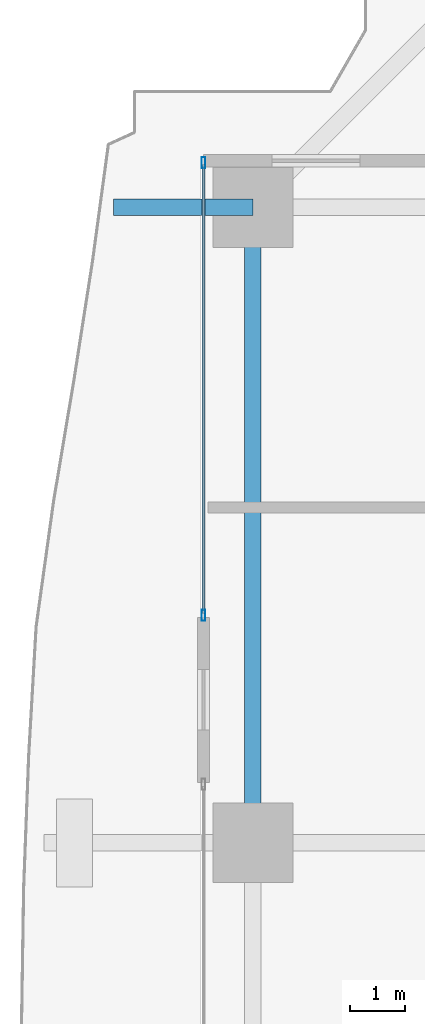
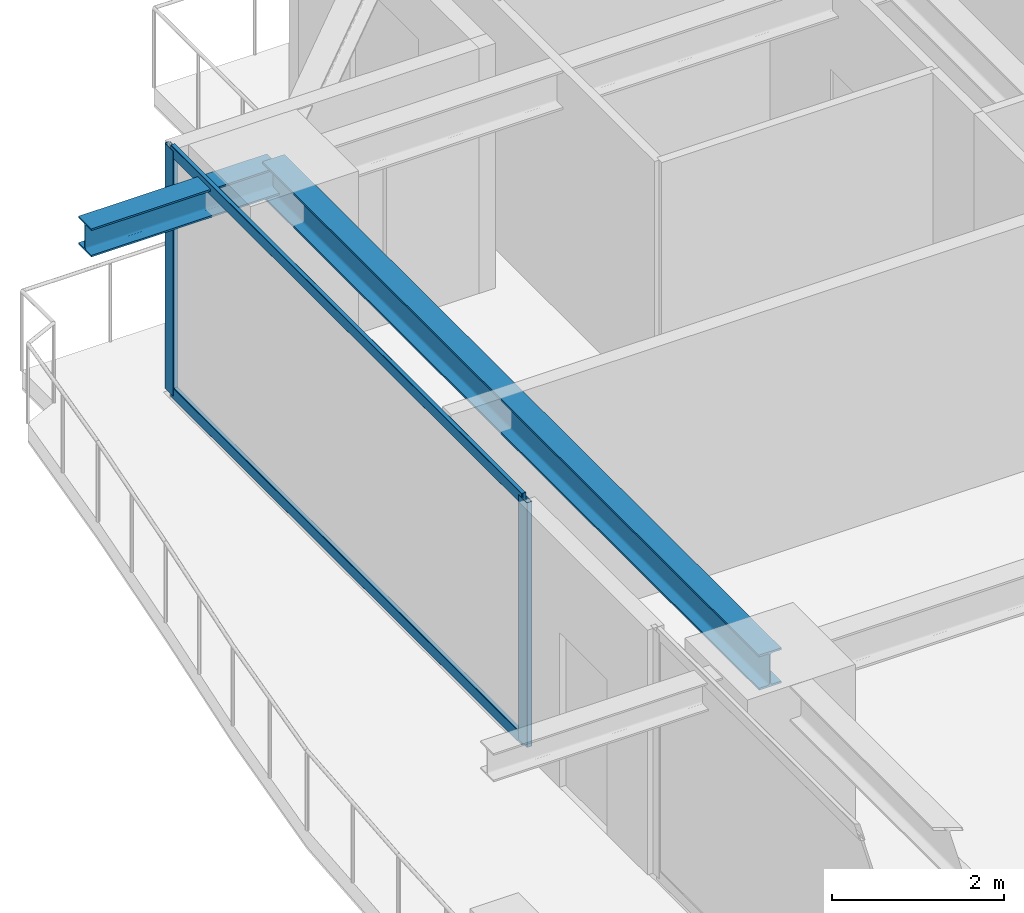
# One storey, part 15 of 35: 4 members, 2 beams, 1 element without a shape of its own.
"""IFC4 building model written with IfcOpenShell, lengths in metres."""

from ifc_helpers import new_model, si_unit, direction, frame, origin, origin_2d, place, context, subcontext, project, spatial, hollow_rectangle, i_section, extrude, source, transform, mapped, material, layer, layer_set, material_profile, profile_set, type_object, element, aggregate, save


model = new_model("IFC4")

# Units and contexts
model_context = context("Model", 3, precision=1e-05, world=origin(), true_north=direction((0.0, 1.0)))
body_context = subcontext(model_context, "Body", "Model", "MODEL_VIEW")
ifc_project = project(units=[si_unit("LENGTHUNIT", "METRE"), si_unit("AREAUNIT", "SQUARE_METRE"), si_unit("VOLUMEUNIT", "CUBIC_METRE"), si_unit("PLANEANGLEUNIT", "RADIAN"), si_unit("MASSUNIT", "GRAM", prefix="KILO")], contexts=[model_context])

# Site, building, storey
site_placement = place(None, origin())
site = spatial("IfcSite", under=ifc_project, at=site_placement, CompositionType="ELEMENT")
building_placement = place(site_placement, origin())
building = spatial("IfcBuilding", under=site, at=building_placement, Name="Serunith Strait Residences", CompositionType="ELEMENT")
storey_placement = place(building_placement, frame((0.0, 0.0, 71.699951171875)))
storey = spatial("IfcBuildingStorey", under=building, at=storey_placement, Name="L17", CompositionType="ELEMENT", Elevation=71.699951171875)

# Beams
ifc_material_1 = material(Name="Steel S355J2", Category="steel")
ifc_material_profile_1 = material_profile(ifc_material_1, i_section(OverallWidth=0.300048828125, OverallDepth=0.5, WebThickness=0.014404296875, FlangeThickness=0.028076171875, FilletRadius=0.027099609375, at=origin_2d()), Name="HEB 500")
ifc_profile_set_1 = profile_set([ifc_material_profile_1], Name="Steel S355J2")
beam_type_1 = type_object("IfcBeamType", Name="BM-HEB500", PredefinedType="BEAM", material=ifc_profile_set_1)
shared_shape_1 = source(origin(), body_context, "Body", "SweptSolid", [
    extrude(i_section(OverallWidth=0.300048828125, OverallDepth=0.5, WebThickness=0.014404296875, FlangeThickness=0.028076171875, FilletRadius=0.027099609375, at=origin_2d()), origin(), (0.0, 0.0, 1.0), 11.550048828125),
])
beam_1_placement = place(storey_placement, frame((6.89990234375, 40.949951171875, 3.237060546875), z_axis=(0.0, -1.0, 0.0), x_axis=(1.0, 0.0, 0.0)))
element("IfcBeam", 1, at=beam_1_placement, inside=storey, type_object=beam_type_1, Name="L17 Perimeter Ring Beam 13", PredefinedType="BEAM", context=body_context, shape_type="MappedRepresentation", body=[
    mapped(shared_shape_1, transform((0.0, 0.0, 0.0), scale=1.0)),
])
ifc_material_profile_2 = material_profile(ifc_material_1, i_section(OverallWidth=0.300048828125, OverallDepth=0.39990234375, WebThickness=0.013427734375, FlangeThickness=0.02392578125, FilletRadius=0.027099609375, at=origin_2d()), Name="HEB 400")
ifc_profile_set_2 = profile_set([ifc_material_profile_2], Name="Steel S355J2")
beam_type_2 = type_object("IfcBeamType", Name="BM-HEB400", PredefinedType="BEAM", material=ifc_profile_set_2)
shared_shape_2 = source(origin(), body_context, "Body", "SweptSolid", [
    extrude(i_section(OverallWidth=0.300048828125, OverallDepth=0.39990234375, WebThickness=0.013427734375, FlangeThickness=0.02392578125, FilletRadius=0.027099609375, at=origin_2d()), origin(), (0.0, 0.0, 1.0), 2.531005859375),
])
beam_2_placement = place(storey_placement, frame((6.89990234375, 40.949951171875, 3.257080078125), z_axis=(-1.0, 0.0, 0.0), x_axis=(0.0, -1.0, 0.0)))
element("IfcBeam", 2, at=beam_2_placement, inside=storey, type_object=beam_type_2, Name="L18 Cantilevered Balcony Rib TC-W4", PredefinedType="BEAM", context=body_context, shape_type="MappedRepresentation", body=[
    mapped(shared_shape_2, transform((0.0, 0.0, 0.0), scale=1.0)),
])

# Curtain wall, members
ifc_material_2 = material(Name="Pale-Champagne Anodised Aluminium", Category="aluminium")
ifc_layer = layer(ifc_material_2, 0.199951171875, Name="Pale-Champagne Anodised Aluminium")
ifc_layer_set = layer_set([ifc_layer], Name="Pale-Champagne Anodised Aluminium")
curtain_wall_type = type_object("IfcCurtainWallType", Name="CW-SYS1", PredefinedType="NOTDEFINED", material=ifc_layer_set)
curtain_wall_placement = place(storey_placement, origin())
curtain_wall = element("IfcCurtainWall", 3, at=curtain_wall_placement, inside=storey, type_object=curtain_wall_type, Name="L17 W Unitised Fritted Curtain Wall", PredefinedType="NOTDEFINED")
ifc_material_profile_3 = material_profile(ifc_material_2, hollow_rectangle(XDim=0.070068359375, YDim=0.199951171875, WallThickness=0.00390625, InnerFilletRadius=0.006103515625, OuterFilletRadius=0.010009765625, at=origin_2d()), Name="ALU 200x70x4")
ifc_profile_set_3 = profile_set([ifc_material_profile_3], Name="Pale-Champagne Anodised Aluminium")
member_type_1 = type_object("IfcMemberType", Name="CW-SYS1-MULL", PredefinedType="MULLION", material=ifc_profile_set_3)
shared_shape_3 = source(origin(), body_context, "Body", "SweptSolid", [
    extrude(hollow_rectangle(XDim=0.070068359375, YDim=0.199951171875, WallThickness=0.00390625, InnerFilletRadius=0.006103515625, OuterFilletRadius=0.010009765625, at=origin_2d()), origin(), (0.0, 0.0, 1.0), 3.47509765625),
])
member_1_placement = place(storey_placement, frame((6.0, 41.764892578125, 0.0), z_axis=(0.0, 0.0, 1.0), x_axis=(1.0, 0.0, 0.0)))
member_1 = element("IfcMember", 4, at=member_1_placement, type_object=member_type_1, Name="CW-1 mullion 1", PredefinedType="MULLION", context=body_context, shape_type="MappedRepresentation", body=[
    mapped(shared_shape_3, transform((0.0, 0.0, 0.0), scale=1.0)),
])
member_2_placement = place(storey_placement, frame((6.0, 33.534912109375, 0.0), z_axis=(0.0, 0.0, 1.0), x_axis=(1.0, 0.0, 0.0)))
member_2 = element("IfcMember", 5, at=member_2_placement, type_object=member_type_1, Name="CW-1 mullion 2", PredefinedType="MULLION", context=body_context, shape_type="MappedRepresentation", body=[
    mapped(shared_shape_3, transform((0.0, 0.0, 0.0), scale=1.0)),
])
ifc_material_profile_4 = material_profile(ifc_material_2, hollow_rectangle(XDim=0.06005859375, YDim=0.159912109375, WallThickness=0.00341796875, InnerFilletRadius=0.00537109375, OuterFilletRadius=0.0087890625, at=origin_2d()), Name="ALU 160x60x3.5")
ifc_profile_set_4 = profile_set([ifc_material_profile_4], Name="Pale-Champagne Anodised Aluminium")
member_type_2 = type_object("IfcMemberType", Name="CW-SYS1-TRAN", PredefinedType="USERDEFINED", material=ifc_profile_set_4)
shared_shape_4 = source(origin(), body_context, "Body", "SweptSolid", [
    extrude(hollow_rectangle(XDim=0.06005859375, YDim=0.159912109375, WallThickness=0.00341796875, InnerFilletRadius=0.00537109375, OuterFilletRadius=0.0087890625, at=origin_2d()), origin(), (0.0, 0.0, 1.0), 8.159912109375),
])
member_3_placement = place(storey_placement, frame((6.0, 41.72998046875, 0.030029296875), z_axis=(0.0, -1.0, 0.0), x_axis=(1.0, 0.0, 0.0)))
member_3 = element("IfcMember", 6, at=member_3_placement, type_object=member_type_2, Name="CW-1 transom 1.1", ObjectType="TRANSOM", PredefinedType="USERDEFINED", context=body_context, shape_type="MappedRepresentation", body=[
    mapped(shared_shape_4, transform((0.0, 0.0, 0.0), scale=1.0)),
])
member_4_placement = place(storey_placement, frame((6.0, 41.72998046875, 3.445068359375), z_axis=(0.0, -1.0, 0.0), x_axis=(1.0, 0.0, 0.0)))
member_4 = element("IfcMember", 7, at=member_4_placement, type_object=member_type_2, Name="CW-1 transom 1.2", ObjectType="TRANSOM", PredefinedType="USERDEFINED", context=body_context, shape_type="MappedRepresentation", body=[
    mapped(shared_shape_4, transform((0.0, 0.0, 0.0), scale=1.0)),
])
aggregate(curtain_wall, [member_1, member_2, member_3, member_4])

save(model, "model.ifc")
